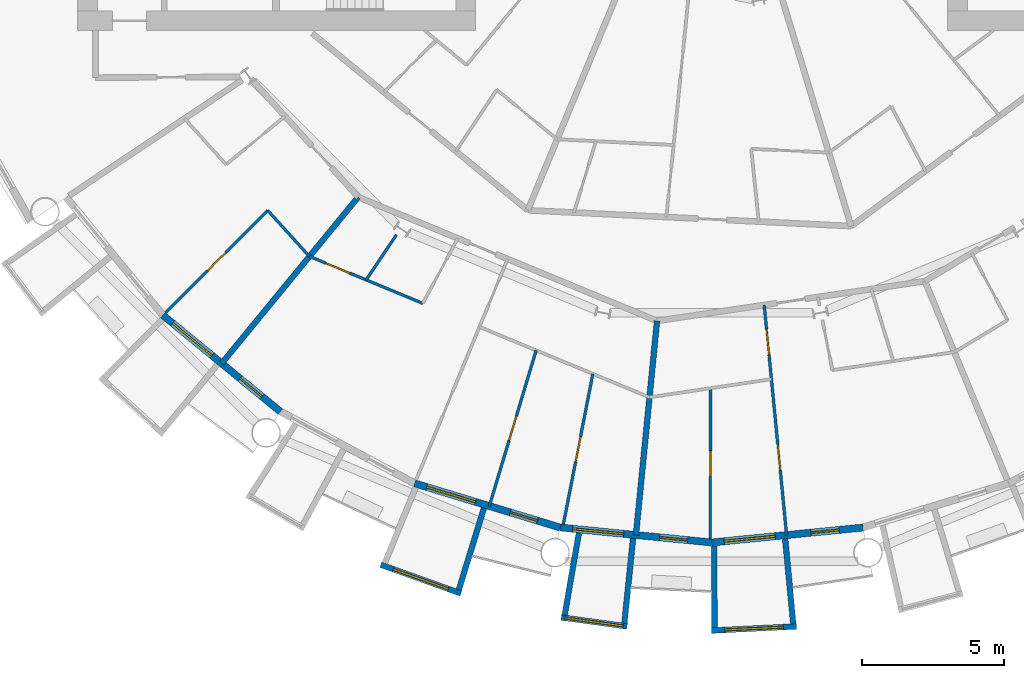
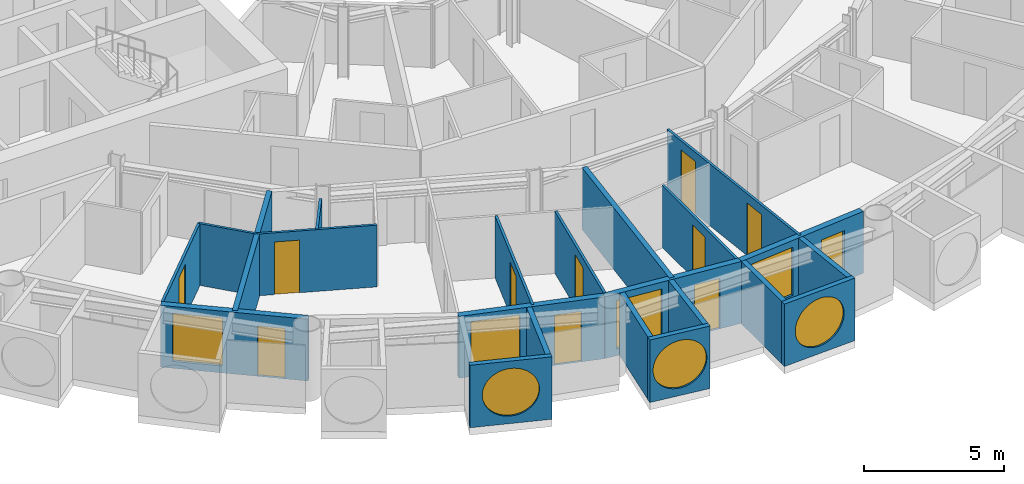
# One storey, part 13 of 26: 22 walls, 11 doors, 7 windows, 18 openings.
"""IFC4 building model written with IfcOpenShell, lengths in metres."""

from ifc_helpers import new_model, si_unit, direction, frame, frame_2d, origin, place, context, subcontext, project, spatial, rectangle, circle, extrude, material, layer, layer_set, type_object, element, fill, save


model = new_model("IFC4")

# Units and contexts
model_context = context("Model", 3, precision=1e-05, world=origin(), true_north=direction((0.0, 1.0)))
body_context = subcontext(model_context, "Body", "Model", "MODEL_VIEW")
ifc_project = project(units=[si_unit("LENGTHUNIT", "METRE"), si_unit("AREAUNIT", "SQUARE_METRE"), si_unit("VOLUMEUNIT", "CUBIC_METRE"), si_unit("PLANEANGLEUNIT", "RADIAN"), si_unit("MASSUNIT", "GRAM", prefix="KILO")], contexts=[model_context])

# Site, building, storey
site_placement = place(None, origin())
site = spatial("IfcSite", under=ifc_project, at=site_placement, CompositionType="ELEMENT")
building_placement = place(site_placement, origin())
building = spatial("IfcBuilding", under=site, at=building_placement, Name="Maasbend Ring Residences", CompositionType="ELEMENT")
storey_placement = place(building_placement, frame((0.0, 0.0, 78.85009765625)))
storey = spatial("IfcBuildingStorey", under=building, at=storey_placement, Name="L22", CompositionType="ELEMENT", Elevation=78.85009765625)

# Wall, opening, window
ifc_material_1 = material(Name="Pale anodised aluminium panel", Category="aluminium")
ifc_layer_1 = layer(ifc_material_1, 0.199951171875)
ifc_layer_set_1 = layer_set([ifc_layer_1], Name="EW-BOX")
wall_type_1 = type_object("IfcWallType", Name="EW-BOX", PredefinedType="SOLIDWALL", material=ifc_layer_set_1)
wall_1_placement = place(storey_placement, frame((-11.637939453125, -28.083984375, -0.030029296875), z_axis=(0.0, 0.0, 1.0), x_axis=(0.941461077774, -0.337121697664, 0.0)))
wall_1 = element("IfcWall", 1, at=wall_1_placement, inside=storey, type_object=wall_type_1, Name="Box front S07", PredefinedType="SOLIDWALL", context=body_context, shape_type="SweptSolid", body=[
    extrude(rectangle(XDim=2.9931640625, YDim=0.199951171875, at=frame_2d((1.49658203125, 0.0))), origin(), (0.0, 0.0, 1.0), 2.72998046875),
])
opening_1_placement = place(wall_1_placement, frame((0.45654296875, 0.0, 0.330078125)))
opening_1 = element("IfcOpeningElement", 2, at=opening_1_placement, cuts=wall_1, Name="Opening W-RD", PredefinedType="OPENING", context=body_context, shape_type="SweptSolid", body=[
    extrude(circle(Radius=1.0400390625, at=frame_2d((1.0400390625, 1.0400390625))), frame((0.0, 0.10986328125, 0.0), z_axis=(0.0, -1.0, 0.0), x_axis=(1.0, 0.0, 0.0)), (0.0, 0.0, 1.0), 0.219970703125),
])
ifc_material_2 = material(Name="Aluminium and clear glass", Category="aluminium")
window_type_1 = type_object("IfcWindowType", Name="W-RD", PartitioningType="SINGLE_PANEL", PredefinedType="WINDOW", material=ifc_material_2)
window_1_placement = place(opening_1_placement, origin())
window_1 = element("IfcWindow", 3, at=window_1_placement, inside=storey, type_object=window_type_1, Name="Round window S07", OverallHeight=2.080078125, OverallWidth=2.080078125, PartitioningType="SINGLE_PANEL", PredefinedType="WINDOW", context=body_context, shape_type="SweptSolid", body=[
    extrude(circle(Radius=1.0400390625, at=frame_2d((1.0400390625, 1.0400390625))), frame((0.0, 0.030029296875, 0.0), z_axis=(0.0, -1.0, 0.0), x_axis=(1.0, 0.0, 0.0)), (0.0, 0.0, 1.0), 0.06005859375),
])
fill(opening_1, window_1)

# Wall
wall_2_placement = place(storey_placement, frame((-8.009033203125, -26.092041015625, -0.030029296875), z_axis=(0.0, 0.0, 1.0), x_axis=(-0.293406695073, -0.955987715029, 0.0)))
element("IfcWall", 4, at=wall_2_placement, inside=storey, type_object=wall_type_1, Name="Box side wall S07 right", PredefinedType="SOLIDWALL", context=body_context, shape_type="SweptSolid", body=[
    extrude(rectangle(XDim=3.00634765625, YDim=0.199951171875, at=frame_2d((1.503173828125, 0.0))), origin(), (0.0, 0.0, 1.0), 2.72998046875),
])

# Wall, opening, window
wall_3_placement = place(storey_placement, frame((-5.2900390625, -29.93603515625, -0.030029296875), z_axis=(0.0, 0.0, 1.0), x_axis=(0.990696111261, -0.136092671119, 0.0)))
wall_3 = element("IfcWall", 5, at=wall_3_placement, inside=storey, type_object=wall_type_1, Name="Box front S09", PredefinedType="SOLIDWALL", context=body_context, shape_type="SweptSolid", body=[
    extrude(rectangle(XDim=2.335693359375, YDim=0.199951171875, at=frame_2d((1.16796875, 0.0))), origin(), (0.0, 0.0, 1.0), 2.72998046875),
])
opening_2_placement = place(wall_3_placement, frame((0.128173828125, 0.0, 0.330078125)))
opening_2 = element("IfcOpeningElement", 6, at=opening_2_placement, cuts=wall_3, Name="Opening W-RD", PredefinedType="OPENING", context=body_context, shape_type="SweptSolid", body=[
    extrude(circle(Radius=1.0400390625, at=frame_2d((1.0400390625, 1.0400390625))), frame((0.0, 0.10986328125, 0.0), z_axis=(0.0, -1.0, 0.0), x_axis=(1.0, 0.0, 0.0)), (0.0, 0.0, 1.0), 0.219970703125),
])
window_2_placement = place(opening_2_placement, origin())
window_2 = element("IfcWindow", 7, at=window_2_placement, inside=storey, type_object=window_type_1, Name="Round window S09", OverallHeight=2.080078125, OverallWidth=2.080078125, PartitioningType="SINGLE_PANEL", PredefinedType="WINDOW", context=body_context, shape_type="SweptSolid", body=[
    extrude(circle(Radius=1.0400390625, at=frame_2d((1.0400390625, 1.0400390625))), frame((0.0, 0.030029296875, 0.0), z_axis=(0.0, -1.0, 0.0), x_axis=(1.0, 0.0, 0.0)), (0.0, 0.0, 1.0), 0.06005859375),
])
fill(opening_2, window_2)

# Walls
wall_4_placement = place(storey_placement, frame((-4.6708984375, -26.966064453125, -0.030029296875), z_axis=(0.0, 0.0, 1.0), x_axis=(-0.170539878907, -0.985350774954, 0.0)))
element("IfcWall", 8, at=wall_4_placement, inside=storey, type_object=wall_type_1, Name="Box side wall S09 left", PredefinedType="SOLIDWALL", context=body_context, shape_type="SweptSolid", body=[
    extrude(rectangle(XDim=2.931884765625, YDim=0.199951171875, at=frame_2d((1.4658203125, 0.0))), origin(), (0.0, 0.0, 1.0), 2.72998046875),
])
wall_5_placement = place(storey_placement, frame((-2.763916015625, -27.153076171875, -0.030029296875), z_axis=(0.0, 0.0, 1.0), x_axis=(-0.101505487237, -0.994834979311, 0.0)))
element("IfcWall", 9, at=wall_5_placement, inside=storey, type_object=wall_type_1, Name="Box side wall S09 right", PredefinedType="SOLIDWALL", context=body_context, shape_type="SweptSolid", body=[
    extrude(rectangle(XDim=3.006591796875, YDim=0.199951171875, at=frame_2d((1.50341796875, 0.0))), origin(), (0.0, 0.0, 1.0), 2.72998046875),
])

# Wall, opening, window
wall_6_placement = place(storey_placement, frame((-0.0048828125, -30.39990234375, -0.030029296875), z_axis=(0.0, 0.0, 1.0), x_axis=(0.998794083011, 0.049095618353, 0.0)))
wall_6 = element("IfcWall", 10, at=wall_6_placement, inside=storey, type_object=wall_type_1, Name="Box front S11", PredefinedType="SOLIDWALL", context=body_context, shape_type="SweptSolid", body=[
    extrude(rectangle(XDim=2.99365234375, YDim=0.199951171875, at=frame_2d((1.496826171875, 0.0))), origin(), (0.0, 0.0, 1.0), 2.72998046875),
])
opening_3_placement = place(wall_6_placement, frame((0.45654296875, 0.0, 0.330078125)))
opening_3 = element("IfcOpeningElement", 11, at=opening_3_placement, cuts=wall_6, Name="Opening W-RD", PredefinedType="OPENING", context=body_context, shape_type="SweptSolid", body=[
    extrude(circle(Radius=1.0400390625, at=frame_2d((1.0400390625, 1.0400390625))), frame((0.0, 0.10986328125, 0.0), z_axis=(0.0, -1.0, 0.0), x_axis=(1.0, 0.0, 0.0)), (0.0, 0.0, 1.0), 0.219970703125),
])
window_3_placement = place(opening_3_placement, origin())
window_3 = element("IfcWindow", 12, at=window_3_placement, inside=storey, type_object=window_type_1, Name="Round window S11", OverallHeight=2.080078125, OverallWidth=2.080078125, PartitioningType="SINGLE_PANEL", PredefinedType="WINDOW", context=body_context, shape_type="SweptSolid", body=[
    extrude(circle(Radius=1.0400390625, at=frame_2d((1.0400390625, 1.0400390625))), frame((0.0, 0.030029296875, 0.0), z_axis=(0.0, -1.0, 0.0), x_axis=(1.0, 0.0, 0.0)), (0.0, 0.0, 1.0), 0.06005859375),
])
fill(opening_3, window_3)

# Walls
wall_7_placement = place(storey_placement, frame((0.090087890625, -27.4169921875, -0.030029296875), z_axis=(0.0, 0.0, 1.0), x_axis=(0.00347308367, -0.999993968827, 0.0)))
element("IfcWall", 13, at=wall_7_placement, inside=storey, type_object=wall_type_1, Name="Box side wall S11 left", PredefinedType="SOLIDWALL", context=body_context, shape_type="SweptSolid", body=[
    extrude(rectangle(XDim=2.882080078125, YDim=0.199951171875, at=frame_2d((1.44091796875, 0.0))), origin(), (0.0, 0.0, 1.0), 2.72998046875),
])
wall_8_placement = place(storey_placement, frame((2.5859375, -27.1708984375, -0.030029296875), z_axis=(0.0, 0.0, 1.0), x_axis=(0.094548432284, -0.995520262954, 0.0)))
element("IfcWall", 14, at=wall_8_placement, inside=storey, type_object=wall_type_1, Name="Box side wall S11 right", PredefinedType="SOLIDWALL", context=body_context, shape_type="SweptSolid", body=[
    extrude(rectangle(XDim=3.005615234375, YDim=0.199951171875, at=frame_2d((1.5029296875, 0.0))), origin(), (0.0, 0.0, 1.0), 2.72998046875),
])

# Wall, openings, door, window
ifc_material_3 = material(Name="Aluminium clad insulated panel", Category="aluminium")
ifc_layer_2 = layer(ifc_material_3, 0.25)
ifc_layer_set_2 = layer_set([ifc_layer_2], Name="EW-GL")
wall_type_2 = type_object("IfcWallType", Name="EW-GL", PredefinedType="SOLIDWALL", material=ifc_layer_set_2)
wall_9_placement = place(storey_placement, frame((-19.303955078125, -19.303955078125, 0.0), z_axis=(0.0, 0.0, 1.0), x_axis=(0.773019449054, -0.634382322723, 0.0)))
wall_9 = element("IfcWall", 15, at=wall_9_placement, inside=storey, type_object=wall_type_2, Name="External wall S02", PredefinedType="SOLIDWALL", context=body_context, shape_type="SweptSolid", body=[
    extrude(rectangle(XDim=5.351806640625, YDim=0.25, at=frame_2d((2.67578125, 0.0))), origin(), (0.0, 0.0, 1.0), 2.699951171875),
])
opening_4_placement = place(wall_9_placement, frame((0.441162109375, 0.0, 0.300048828125)))
opening_4 = element("IfcOpeningElement", 16, at=opening_4_placement, cuts=wall_9, Name="Opening W-BX", PredefinedType="OPENING", context=body_context, shape_type="SweptSolid", body=[
    extrude(rectangle(XDim=1.800048828125, YDim=2.10009765625, at=frame_2d((0.89990234375, 1.050048828125))), frame((0.0, 0.135009765625, 0.0), z_axis=(0.0, -1.0, 0.0), x_axis=(1.0, 0.0, 0.0)), (0.0, 0.0, 1.0), 0.27001953125),
])
opening_5_placement = place(wall_9_placement, frame((3.510498046875, 0.0, 0.0)))
opening_5 = element("IfcOpeningElement", 17, at=opening_5_placement, cuts=wall_9, Name="Opening D-LG", PredefinedType="OPENING", context=body_context, shape_type="SweptSolid", body=[
    extrude(rectangle(XDim=1.0, YDim=2.199951171875, at=frame_2d((0.5, 1.10009765625))), frame((0.0, 0.135009765625, 0.0), z_axis=(0.0, -1.0, 0.0), x_axis=(1.0, 0.0, 0.0)), (0.0, 0.0, 1.0), 0.27001953125),
])
ifc_material_4 = material(Name="Aluminium and clear glass", Category="aluminium")
door_type_1 = type_object("IfcDoorType", Name="D-LG", OperationType="SINGLE_SWING_LEFT", PredefinedType="DOOR", material=ifc_material_4)
door_1_placement = place(opening_5_placement, origin())
door_1 = element("IfcDoor", 18, at=door_1_placement, inside=storey, type_object=door_type_1, Name="Loggia door S04", OperationType="SINGLE_SWING_LEFT", OverallHeight=2.199951171875, OverallWidth=1.0, PredefinedType="DOOR", context=body_context, shape_type="SweptSolid", body=[
    extrude(rectangle(XDim=1.0, YDim=2.199951171875, at=frame_2d((0.5, 1.10009765625))), frame((0.0, 0.02490234375, 0.0), z_axis=(0.0, -1.0, 0.0), x_axis=(1.0, 0.0, 0.0)), (0.0, 0.0, 1.0), 0.050048828125),
])
fill(opening_5, door_1)
ifc_material_5 = material(Name="Aluminium and clear glass", Category="aluminium")
window_type_2 = type_object("IfcWindowType", Name="W-BX", PartitioningType="DOUBLE_PANEL_VERTICAL", PredefinedType="WINDOW", material=ifc_material_5)
window_4_placement = place(opening_4_placement, origin())
window_4 = element("IfcWindow", 19, at=window_4_placement, inside=storey, type_object=window_type_2, Name="Window S03 room to box", OverallHeight=2.10009765625, OverallWidth=1.800048828125, PartitioningType="SINGLE_PANEL", PredefinedType="WINDOW", context=body_context, shape_type="SweptSolid", body=[
    extrude(rectangle(XDim=1.800048828125, YDim=2.10009765625, at=frame_2d((0.89990234375, 1.050048828125))), frame((0.0, 0.030029296875, 0.0), z_axis=(0.0, -1.0, 0.0), x_axis=(1.0, 0.0, 0.0)), (0.0, 0.0, 1.0), 0.06005859375),
])
fill(opening_4, window_4)

wall_10_placement = place(storey_placement, frame((-10.447021484375, -25.221923828125, 0.0), z_axis=(0.0, 0.0, 1.0), x_axis=(0.956965678721, -0.290201119486, 0.0)))
wall_10 = element("IfcWall", 20, at=wall_10_placement, inside=storey, type_object=wall_type_2, Name="External wall S04", PredefinedType="SOLIDWALL", context=body_context, shape_type="SweptSolid", body=[
    extrude(rectangle(XDim=5.351318359375, YDim=0.25, at=frame_2d((2.67578125, 0.0))), origin(), (0.0, 0.0, 1.0), 2.699951171875),
])
opening_6_placement = place(wall_10_placement, frame((0.441162109375, 0.0, 0.300048828125)))
opening_6 = element("IfcOpeningElement", 21, at=opening_6_placement, cuts=wall_10, Name="Opening W-BX", PredefinedType="OPENING", context=body_context, shape_type="SweptSolid", body=[
    extrude(rectangle(XDim=1.800048828125, YDim=2.10009765625, at=frame_2d((0.89990234375, 1.050048828125))), frame((0.0, 0.135009765625, 0.0), z_axis=(0.0, -1.0, 0.0), x_axis=(1.0, 0.0, 0.0)), (0.0, 0.0, 1.0), 0.27001953125),
])
opening_7_placement = place(wall_10_placement, frame((3.510498046875, 0.0, 0.0)))
opening_7 = element("IfcOpeningElement", 22, at=opening_7_placement, cuts=wall_10, Name="Opening D-LG", PredefinedType="OPENING", context=body_context, shape_type="SweptSolid", body=[
    extrude(rectangle(XDim=1.0, YDim=2.199951171875, at=frame_2d((0.5, 1.10009765625))), frame((0.0, 0.135009765625, 0.0), z_axis=(0.0, -1.0, 0.0), x_axis=(1.0, 0.0, 0.0)), (0.0, 0.0, 1.0), 0.27001953125),
])
door_2_placement = place(opening_7_placement, origin())
door_2 = element("IfcDoor", 23, at=door_2_placement, inside=storey, type_object=door_type_1, Name="Loggia door S08", OperationType="SINGLE_SWING_LEFT", OverallHeight=2.199951171875, OverallWidth=1.0, PredefinedType="DOOR", context=body_context, shape_type="SweptSolid", body=[
    extrude(rectangle(XDim=1.0, YDim=2.199951171875, at=frame_2d((0.5, 1.10009765625))), frame((0.0, 0.02490234375, 0.0), z_axis=(0.0, -1.0, 0.0), x_axis=(1.0, 0.0, 0.0)), (0.0, 0.0, 1.0), 0.050048828125),
])
fill(opening_7, door_2)
window_5_placement = place(opening_6_placement, origin())
window_5 = element("IfcWindow", 24, at=window_5_placement, inside=storey, type_object=window_type_2, Name="Window S07 room to box", OverallHeight=2.10009765625, OverallWidth=1.800048828125, PartitioningType="SINGLE_PANEL", PredefinedType="WINDOW", context=body_context, shape_type="SweptSolid", body=[
    extrude(rectangle(XDim=1.800048828125, YDim=2.10009765625, at=frame_2d((0.89990234375, 1.050048828125))), frame((0.0, 0.030029296875, 0.0), z_axis=(0.0, -1.0, 0.0), x_axis=(1.0, 0.0, 0.0)), (0.0, 0.0, 1.0), 0.06005859375),
])
fill(opening_6, window_5)

wall_11_placement = place(storey_placement, frame((-5.325927734375, -26.77490234375, 0.0), z_axis=(0.0, 0.0, 1.0), x_axis=(0.995173996315, -0.098126026407, 0.0)))
wall_11 = element("IfcWall", 25, at=wall_11_placement, inside=storey, type_object=wall_type_2, Name="External wall S05", PredefinedType="SOLIDWALL", context=body_context, shape_type="SweptSolid", body=[
    extrude(rectangle(XDim=5.351806640625, YDim=0.25, at=frame_2d((2.67578125, 0.0))), origin(), (0.0, 0.0, 1.0), 2.699951171875),
])
opening_8_placement = place(wall_11_placement, frame((0.441162109375, 0.0, 0.300048828125)))
opening_8 = element("IfcOpeningElement", 26, at=opening_8_placement, cuts=wall_11, Name="Opening W-BX", PredefinedType="OPENING", context=body_context, shape_type="SweptSolid", body=[
    extrude(rectangle(XDim=1.800048828125, YDim=2.10009765625, at=frame_2d((0.89990234375, 1.050048828125))), frame((0.0, 0.135009765625, 0.0), z_axis=(0.0, -1.0, 0.0), x_axis=(1.0, 0.0, 0.0)), (0.0, 0.0, 1.0), 0.27001953125),
])
opening_9_placement = place(wall_11_placement, frame((3.510498046875, 0.0, 0.0)))
opening_9 = element("IfcOpeningElement", 27, at=opening_9_placement, cuts=wall_11, Name="Opening D-LG", PredefinedType="OPENING", context=body_context, shape_type="SweptSolid", body=[
    extrude(rectangle(XDim=1.0, YDim=2.199951171875, at=frame_2d((0.5, 1.10009765625))), frame((0.0, 0.135009765625, 0.0), z_axis=(0.0, -1.0, 0.0), x_axis=(1.0, 0.0, 0.0)), (0.0, 0.0, 1.0), 0.27001953125),
])
door_3_placement = place(opening_9_placement, origin())
door_3 = element("IfcDoor", 28, at=door_3_placement, inside=storey, type_object=door_type_1, Name="Loggia door S10", OperationType="SINGLE_SWING_LEFT", OverallHeight=2.199951171875, OverallWidth=1.0, PredefinedType="DOOR", context=body_context, shape_type="SweptSolid", body=[
    extrude(rectangle(XDim=1.0, YDim=2.199951171875, at=frame_2d((0.5, 1.10009765625))), frame((0.0, 0.02490234375, 0.0), z_axis=(0.0, -1.0, 0.0), x_axis=(1.0, 0.0, 0.0)), (0.0, 0.0, 1.0), 0.050048828125),
])
fill(opening_9, door_3)
window_6_placement = place(opening_8_placement, origin())
window_6 = element("IfcWindow", 29, at=window_6_placement, inside=storey, type_object=window_type_2, Name="Window S09 room to box", OverallHeight=2.10009765625, OverallWidth=1.800048828125, PartitioningType="SINGLE_PANEL", PredefinedType="WINDOW", context=body_context, shape_type="SweptSolid", body=[
    extrude(rectangle(XDim=1.800048828125, YDim=2.10009765625, at=frame_2d((0.89990234375, 1.050048828125))), frame((0.0, 0.030029296875, 0.0), z_axis=(0.0, -1.0, 0.0), x_axis=(1.0, 0.0, 0.0)), (0.0, 0.0, 1.0), 0.06005859375),
])
fill(opening_8, window_6)

wall_12_placement = place(storey_placement, frame((0.0, -27.300048828125, 0.0), z_axis=(0.0, 0.0, 1.0), x_axis=(0.995173996315, 0.098126026407, 0.0)))
wall_12 = element("IfcWall", 30, at=wall_12_placement, inside=storey, type_object=wall_type_2, Name="External wall S06", PredefinedType="SOLIDWALL", context=body_context, shape_type="SweptSolid", body=[
    extrude(rectangle(XDim=5.351806640625, YDim=0.25, at=frame_2d((2.67578125, 0.0))), origin(), (0.0, 0.0, 1.0), 2.699951171875),
])
opening_10_placement = place(wall_12_placement, frame((0.441162109375, 0.0, 0.300048828125)))
opening_10 = element("IfcOpeningElement", 31, at=opening_10_placement, cuts=wall_12, Name="Opening W-BX", PredefinedType="OPENING", context=body_context, shape_type="SweptSolid", body=[
    extrude(rectangle(XDim=1.800048828125, YDim=2.10009765625, at=frame_2d((0.89990234375, 1.050048828125))), frame((0.0, 0.135009765625, 0.0), z_axis=(0.0, -1.0, 0.0), x_axis=(1.0, 0.0, 0.0)), (0.0, 0.0, 1.0), 0.27001953125),
])
opening_11_placement = place(wall_12_placement, frame((3.510498046875, 0.0, 0.0)))
opening_11 = element("IfcOpeningElement", 32, at=opening_11_placement, cuts=wall_12, Name="Opening D-LG", PredefinedType="OPENING", context=body_context, shape_type="SweptSolid", body=[
    extrude(rectangle(XDim=1.0, YDim=2.199951171875, at=frame_2d((0.5, 1.10009765625))), frame((0.0, 0.135009765625, 0.0), z_axis=(0.0, -1.0, 0.0), x_axis=(1.0, 0.0, 0.0)), (0.0, 0.0, 1.0), 0.27001953125),
])
door_4_placement = place(opening_11_placement, origin())
door_4 = element("IfcDoor", 33, at=door_4_placement, inside=storey, type_object=door_type_1, Name="Loggia door S12", OperationType="SINGLE_SWING_LEFT", OverallHeight=2.199951171875, OverallWidth=1.0, PredefinedType="DOOR", context=body_context, shape_type="SweptSolid", body=[
    extrude(rectangle(XDim=1.0, YDim=2.199951171875, at=frame_2d((0.5, 1.10009765625))), frame((0.0, 0.02490234375, 0.0), z_axis=(0.0, -1.0, 0.0), x_axis=(1.0, 0.0, 0.0)), (0.0, 0.0, 1.0), 0.050048828125),
])
fill(opening_11, door_4)
window_7_placement = place(opening_10_placement, origin())
window_7 = element("IfcWindow", 34, at=window_7_placement, inside=storey, type_object=window_type_2, Name="Window S11 room to box", OverallHeight=2.10009765625, OverallWidth=1.800048828125, PartitioningType="SINGLE_PANEL", PredefinedType="WINDOW", context=body_context, shape_type="SweptSolid", body=[
    extrude(rectangle(XDim=1.800048828125, YDim=2.10009765625, at=frame_2d((0.89990234375, 1.050048828125))), frame((0.0, 0.030029296875, 0.0), z_axis=(0.0, -1.0, 0.0), x_axis=(1.0, 0.0, 0.0)), (0.0, 0.0, 1.0), 0.06005859375),
])
fill(opening_10, window_7)

# Wall
ifc_material_6 = material(Name="Gypsum board on steel studs", Category="steel")
ifc_layer_3 = layer(ifc_material_6, 0.10009765625)
ifc_layer_set_3 = layer_set([ifc_layer_3], Name="PARTITION 100 GYPSUM")
wall_type_3 = type_object("IfcWallType", Name="PARTITION 100 GYPSUM", PredefinedType="PARTITIONING", material=ifc_layer_set_3)
wall_13_placement = place(storey_placement, frame((-15.616943359375, -15.616943359375, 0.0), z_axis=(0.0, 0.0, 1.0), x_axis=(0.671144831591, -0.741326254107, 0.0)))
element("IfcWall", 35, at=wall_13_placement, inside=storey, type_object=wall_type_3, Name="U-L22-w002", PredefinedType="PARTITIONING", context=body_context, shape_type="SweptSolid", body=[
    extrude(rectangle(XDim=2.18115234375, YDim=0.10009765625, at=frame_2d((1.090576171875, 0.0))), origin(), (0.0, 0.0, 1.0), 2.699951171875),
])

# Wall, opening, door
wall_14_placement = place(storey_placement, frame((-14.14990234375, -17.236083984375, 0.0), z_axis=(0.0, 0.0, 1.0), x_axis=(0.923789421174, -0.382900907975, 0.0)))
wall_14 = element("IfcWall", 36, at=wall_14_placement, inside=storey, type_object=wall_type_3, Name="U-L22-w011", PredefinedType="PARTITIONING", context=body_context, shape_type="SweptSolid", body=[
    extrude(rectangle(XDim=4.319091796875, YDim=0.10009765625, at=frame_2d((2.15966796875, 0.0))), origin(), (0.0, 0.0, 1.0), 2.699951171875),
])
opening_12_placement = place(wall_14_placement, frame((0.634033203125, 0.0, 0.0)))
opening_12 = element("IfcOpeningElement", 37, at=opening_12_placement, cuts=wall_14, Name="Opening D-2237", PredefinedType="OPENING", context=body_context, shape_type="SweptSolid", body=[
    extrude(rectangle(XDim=0.89990234375, YDim=2.300048828125, at=frame_2d((0.449951171875, 1.14990234375))), frame((0.0, 0.06005859375, 0.0), z_axis=(0.0, -1.0, 0.0), x_axis=(1.0, 0.0, 0.0)), (0.0, 0.0, 1.0), 0.1201171875),
])
ifc_material_7 = material(Name="Timber, painted", Category="wood")
door_type_2 = type_object("IfcDoorType", Name="INTERNAL DOOR 900 X 2300", OperationType="NOTDEFINED", PredefinedType="DOOR", material=ifc_material_7)
door_5_placement = place(opening_12_placement, origin())
door_5 = element("IfcDoor", 38, at=door_5_placement, inside=storey, type_object=door_type_2, Name="D-2237", OperationType="SINGLE_SWING_LEFT", OverallHeight=2.300048828125, OverallWidth=0.89990234375, PredefinedType="DOOR", context=body_context, shape_type="SweptSolid", body=[
    extrude(rectangle(XDim=0.89990234375, YDim=2.300048828125, at=frame_2d((0.449951171875, 1.14990234375))), frame((0.0, 0.02490234375, 0.0), z_axis=(0.0, -1.0, 0.0), x_axis=(1.0, 0.0, 0.0)), (0.0, 0.0, 1.0), 0.050048828125),
])
fill(opening_12, door_5)

wall_15_placement = place(storey_placement, frame((-19.2099609375, -19.221923828125, 0.0), z_axis=(0.0, 0.0, 1.0), x_axis=(0.706914880313, 0.707298629994, 0.0)))
wall_15 = element("IfcWall", 39, at=wall_15_placement, inside=storey, type_object=wall_type_3, Name="U-L22-w039", PredefinedType="PARTITIONING", context=body_context, shape_type="SweptSolid", body=[
    extrude(rectangle(XDim=5.089599609375, YDim=0.10009765625, at=frame_2d((2.544921875, 0.0))), origin(), (0.0, 0.0, 1.0), 2.699951171875),
])
opening_13_placement = place(wall_15_placement, frame((2.094970703125, 0.0, 0.0)))
opening_13 = element("IfcOpeningElement", 40, at=opening_13_placement, cuts=wall_15, Name="Opening D-2235", PredefinedType="OPENING", context=body_context, shape_type="SweptSolid", body=[
    extrude(rectangle(XDim=0.89990234375, YDim=2.300048828125, at=frame_2d((0.449951171875, 1.14990234375))), frame((0.0, 0.06005859375, 0.0), z_axis=(0.0, -1.0, 0.0), x_axis=(1.0, 0.0, 0.0)), (0.0, 0.0, 1.0), 0.1201171875),
])
door_6_placement = place(opening_13_placement, origin())
door_6 = element("IfcDoor", 41, at=door_6_placement, inside=storey, type_object=door_type_2, Name="D-2235", OperationType="SINGLE_SWING_RIGHT", OverallHeight=2.300048828125, OverallWidth=0.89990234375, PredefinedType="DOOR", context=body_context, shape_type="SweptSolid", body=[
    extrude(rectangle(XDim=0.89990234375, YDim=2.300048828125, at=frame_2d((0.449951171875, 1.14990234375))), frame((0.0, 0.02490234375, 0.0), z_axis=(0.0, -1.0, 0.0), x_axis=(1.0, 0.0, 0.0)), (0.0, 0.0, 1.0), 0.050048828125),
])
fill(opening_13, door_6)

# Wall
wall_16_placement = place(storey_placement, frame((-12.153076171875, -18.06396484375, 0.0), z_axis=(0.0, 0.0, 1.0), x_axis=(0.558383137663, 0.829583191472, 0.0)))
element("IfcWall", 42, at=wall_16_placement, inside=storey, type_object=wall_type_3, Name="U-L22-w046", PredefinedType="PARTITIONING", context=body_context, shape_type="SweptSolid", body=[
    extrude(rectangle(XDim=1.909423828125, YDim=0.10009765625, at=frame_2d((0.95458984375, 0.0))), origin(), (0.0, 0.0, 1.0), 2.699951171875),
])

# Wall, opening, door
wall_17_placement = place(storey_placement, frame((-7.821044921875, -26.02490234375, 0.0), z_axis=(0.0, 0.0, 1.0), x_axis=(0.287793773423, 0.957692405723, 0.0)))
wall_17 = element("IfcWall", 43, at=wall_17_placement, inside=storey, type_object=wall_type_3, Name="U-L22-w054", PredefinedType="PARTITIONING", context=body_context, shape_type="SweptSolid", body=[
    extrude(rectangle(XDim=5.72607421875, YDim=0.10009765625, at=frame_2d((2.863037109375, 0.0))), origin(), (0.0, 0.0, 1.0), 2.699951171875),
])
opening_14_placement = place(wall_17_placement, frame((2.4130859375, 0.0, 0.0)))
opening_14 = element("IfcOpeningElement", 44, at=opening_14_placement, cuts=wall_17, Name="Opening D-2241", PredefinedType="OPENING", context=body_context, shape_type="SweptSolid", body=[
    extrude(rectangle(XDim=0.89990234375, YDim=2.300048828125, at=frame_2d((0.449951171875, 1.14990234375))), frame((0.0, 0.06005859375, 0.0), z_axis=(0.0, -1.0, 0.0), x_axis=(1.0, 0.0, 0.0)), (0.0, 0.0, 1.0), 0.1201171875),
])
door_7_placement = place(opening_14_placement, origin())
door_7 = element("IfcDoor", 45, at=door_7_placement, inside=storey, type_object=door_type_2, Name="D-2241", OperationType="SINGLE_SWING_LEFT", OverallHeight=2.300048828125, OverallWidth=0.89990234375, PredefinedType="DOOR", context=body_context, shape_type="SweptSolid", body=[
    extrude(rectangle(XDim=0.89990234375, YDim=2.300048828125, at=frame_2d((0.449951171875, 1.14990234375))), frame((0.0, 0.02490234375, 0.0), z_axis=(0.0, -1.0, 0.0), x_axis=(1.0, 0.0, 0.0)), (0.0, 0.0, 1.0), 0.050048828125),
])
fill(opening_14, door_7)

wall_18_placement = place(storey_placement, frame((-5.217041015625, -26.669921875, 0.0), z_axis=(0.0, 0.0, 1.0), x_axis=(0.192109041462, 0.981373586453, 0.0)))
wall_18 = element("IfcWall", 46, at=wall_18_placement, inside=storey, type_object=wall_type_3, Name="U-L22-w057", PredefinedType="PARTITIONING", context=body_context, shape_type="SweptSolid", body=[
    extrude(rectangle(XDim=5.403564453125, YDim=0.10009765625, at=frame_2d((2.70166015625, 0.0))), origin(), (0.0, 0.0, 1.0), 2.699951171875),
])
opening_15_placement = place(wall_18_placement, frame((2.251953125, 0.0, 0.0)))
opening_15 = element("IfcOpeningElement", 47, at=opening_15_placement, cuts=wall_18, Name="Opening D-2242", PredefinedType="OPENING", context=body_context, shape_type="SweptSolid", body=[
    extrude(rectangle(XDim=0.89990234375, YDim=2.300048828125, at=frame_2d((0.449951171875, 1.14990234375))), frame((0.0, 0.06005859375, 0.0), z_axis=(0.0, -1.0, 0.0), x_axis=(1.0, 0.0, 0.0)), (0.0, 0.0, 1.0), 0.1201171875),
])
door_8_placement = place(opening_15_placement, origin())
door_8 = element("IfcDoor", 48, at=door_8_placement, inside=storey, type_object=door_type_2, Name="D-2242", OperationType="SINGLE_SWING_RIGHT", OverallHeight=2.300048828125, OverallWidth=0.89990234375, PredefinedType="DOOR", context=body_context, shape_type="SweptSolid", body=[
    extrude(rectangle(XDim=0.89990234375, YDim=2.300048828125, at=frame_2d((0.449951171875, 1.14990234375))), frame((0.0, 0.02490234375, 0.0), z_axis=(0.0, -1.0, 0.0), x_axis=(1.0, 0.0, 0.0)), (0.0, 0.0, 1.0), 0.050048828125),
])
fill(opening_15, door_8)

wall_19_placement = place(storey_placement, frame((-0.052001953125, -27.175048828125, 0.0), z_axis=(0.0, 0.0, 1.0), x_axis=(0.001888614256, 0.999998216567, 0.0)))
wall_19 = element("IfcWall", 49, at=wall_19_placement, inside=storey, type_object=wall_type_3, Name="U-L22-w064", PredefinedType="PARTITIONING", context=body_context, shape_type="SweptSolid", body=[
    extrude(rectangle(XDim=5.300048828125, YDim=0.10009765625, at=frame_2d((2.64990234375, 0.0))), origin(), (0.0, 0.0, 1.0), 2.699951171875),
])
opening_16_placement = place(wall_19_placement, frame((2.199951171875, 0.0, 0.0)))
opening_16 = element("IfcOpeningElement", 50, at=opening_16_placement, cuts=wall_19, Name="Opening D-2248", PredefinedType="OPENING", context=body_context, shape_type="SweptSolid", body=[
    extrude(rectangle(XDim=0.89990234375, YDim=2.300048828125, at=frame_2d((0.449951171875, 1.14990234375))), frame((0.0, 0.06005859375, 0.0), z_axis=(0.0, -1.0, 0.0), x_axis=(1.0, 0.0, 0.0)), (0.0, 0.0, 1.0), 0.1201171875),
])
door_9_placement = place(opening_16_placement, origin())
door_9 = element("IfcDoor", 51, at=door_9_placement, inside=storey, type_object=door_type_2, Name="D-2248", OperationType="SINGLE_SWING_RIGHT", OverallHeight=2.300048828125, OverallWidth=0.89990234375, PredefinedType="DOOR", context=body_context, shape_type="SweptSolid", body=[
    extrude(rectangle(XDim=0.89990234375, YDim=2.300048828125, at=frame_2d((0.449951171875, 1.14990234375))), frame((0.0, 0.02490234375, 0.0), z_axis=(0.0, -1.0, 0.0), x_axis=(1.0, 0.0, 0.0)), (0.0, 0.0, 1.0), 0.050048828125),
])
fill(opening_16, door_9)

# Wall, openings, doors
wall_20_placement = place(storey_placement, frame((1.847900390625, -18.947021484375, 0.0), z_axis=(0.0, 0.0, 1.0), x_axis=(0.09695500902, -0.995288765246, 0.0)))
wall_20 = element("IfcWall", 52, at=wall_20_placement, inside=storey, type_object=wall_type_3, Name="U-L22-w069", PredefinedType="PARTITIONING", context=body_context, shape_type="SweptSolid", body=[
    extrude(rectangle(XDim=8.138427734375, YDim=0.10009765625, at=frame_2d((4.0693359375, 0.0))), origin(), (0.0, 0.0, 1.0), 2.699951171875),
])
opening_17_placement = place(wall_20_placement, frame((0.861083984375, 0.0, 0.0)))
opening_17 = element("IfcOpeningElement", 53, at=opening_17_placement, cuts=wall_20, Name="Opening D-2246", PredefinedType="OPENING", context=body_context, shape_type="SweptSolid", body=[
    extrude(rectangle(XDim=0.89990234375, YDim=2.300048828125, at=frame_2d((0.449951171875, 1.14990234375))), frame((0.0, 0.06005859375, 0.0), z_axis=(0.0, -1.0, 0.0), x_axis=(1.0, 0.0, 0.0)), (0.0, 0.0, 1.0), 0.1201171875),
])
opening_18_placement = place(wall_20_placement, frame((4.929931640625, 0.0, 0.0)))
opening_18 = element("IfcOpeningElement", 54, at=opening_18_placement, cuts=wall_20, Name="Opening D-2247", PredefinedType="OPENING", context=body_context, shape_type="SweptSolid", body=[
    extrude(rectangle(XDim=0.89990234375, YDim=2.300048828125, at=frame_2d((0.449951171875, 1.14990234375))), frame((0.0, 0.06005859375, 0.0), z_axis=(0.0, -1.0, 0.0), x_axis=(1.0, 0.0, 0.0)), (0.0, 0.0, 1.0), 0.1201171875),
])
door_10_placement = place(opening_17_placement, origin())
door_10 = element("IfcDoor", 55, at=door_10_placement, inside=storey, type_object=door_type_2, Name="D-2246", OperationType="SINGLE_SWING_LEFT", OverallHeight=2.300048828125, OverallWidth=0.89990234375, PredefinedType="DOOR", context=body_context, shape_type="SweptSolid", body=[
    extrude(rectangle(XDim=0.89990234375, YDim=2.300048828125, at=frame_2d((0.449951171875, 1.14990234375))), frame((0.0, 0.02490234375, 0.0), z_axis=(0.0, -1.0, 0.0), x_axis=(1.0, 0.0, 0.0)), (0.0, 0.0, 1.0), 0.050048828125),
])
fill(opening_17, door_10)
door_11_placement = place(opening_18_placement, origin())
door_11 = element("IfcDoor", 56, at=door_11_placement, inside=storey, type_object=door_type_2, Name="D-2247", OperationType="SINGLE_SWING_RIGHT", OverallHeight=2.300048828125, OverallWidth=0.89990234375, PredefinedType="DOOR", context=body_context, shape_type="SweptSolid", body=[
    extrude(rectangle(XDim=0.89990234375, YDim=2.300048828125, at=frame_2d((0.449951171875, 1.14990234375))), frame((0.0, 0.02490234375, 0.0), z_axis=(0.0, -1.0, 0.0), x_axis=(1.0, 0.0, 0.0)), (0.0, 0.0, 1.0), 0.050048828125),
])
fill(opening_18, door_11)

# Walls
ifc_material_8 = material(Name="Concrete C30/37", Category="concrete")
ifc_layer_4 = layer(ifc_material_8, 0.199951171875)
ifc_layer_set_4 = layer_set([ifc_layer_4], Name="Concrete C30/37")
wall_type_4 = type_object("IfcWallType", Name="PARTY WALL 200 CONCRETE", PredefinedType="PARTITIONING", material=ifc_layer_set_4)
wall_21_placement = place(storey_placement, frame((-17.239013671875, -21.008056640625, 0.0), z_axis=(0.0, 0.0, 1.0), x_axis=(0.634318093068, 0.773072154981, 0.0)))
element("IfcWall", 57, at=wall_21_placement, inside=storey, type_object=wall_type_4, Name="U-L22-w041", PredefinedType="PARTITIONING", context=body_context, shape_type="SweptSolid", body=[
    extrude(rectangle(XDim=7.576416015625, YDim=0.199951171875, at=frame_2d((3.7880859375, 0.0))), origin(), (0.0, 0.0, 1.0), 2.699951171875),
])
wall_22_placement = place(storey_placement, frame((-2.6640625, -27.0439453125, 0.0), z_axis=(0.0, 0.0, 1.0), x_axis=(0.098115395479, 0.995175044487, 0.0)))
element("IfcWall", 58, at=wall_22_placement, inside=storey, type_object=wall_type_4, Name="U-L22-w060", PredefinedType="PARTITIONING", context=body_context, shape_type="SweptSolid", body=[
    extrude(rectangle(XDim=7.574462890625, YDim=0.199951171875, at=frame_2d((3.787109375, 0.0))), origin(), (0.0, 0.0, 1.0), 2.699951171875),
])

save(model, "model.ifc")
